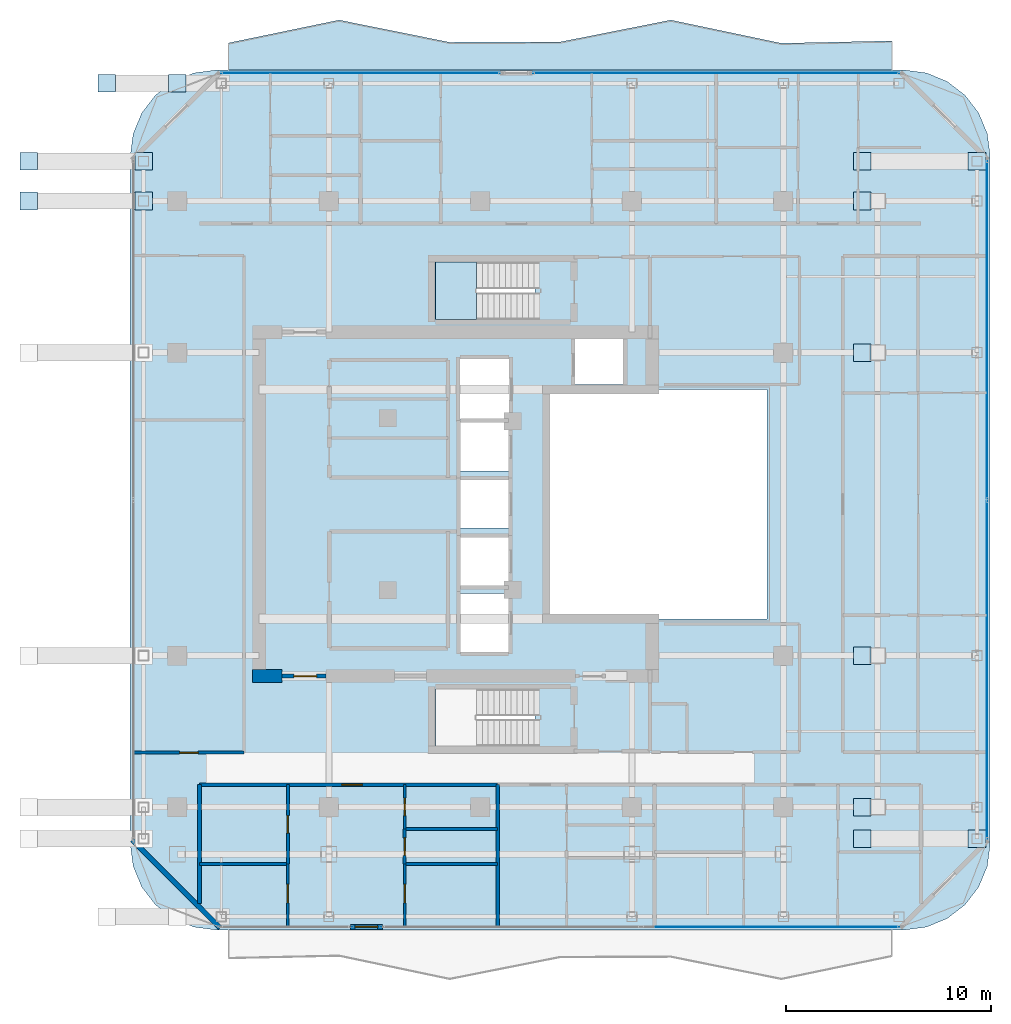
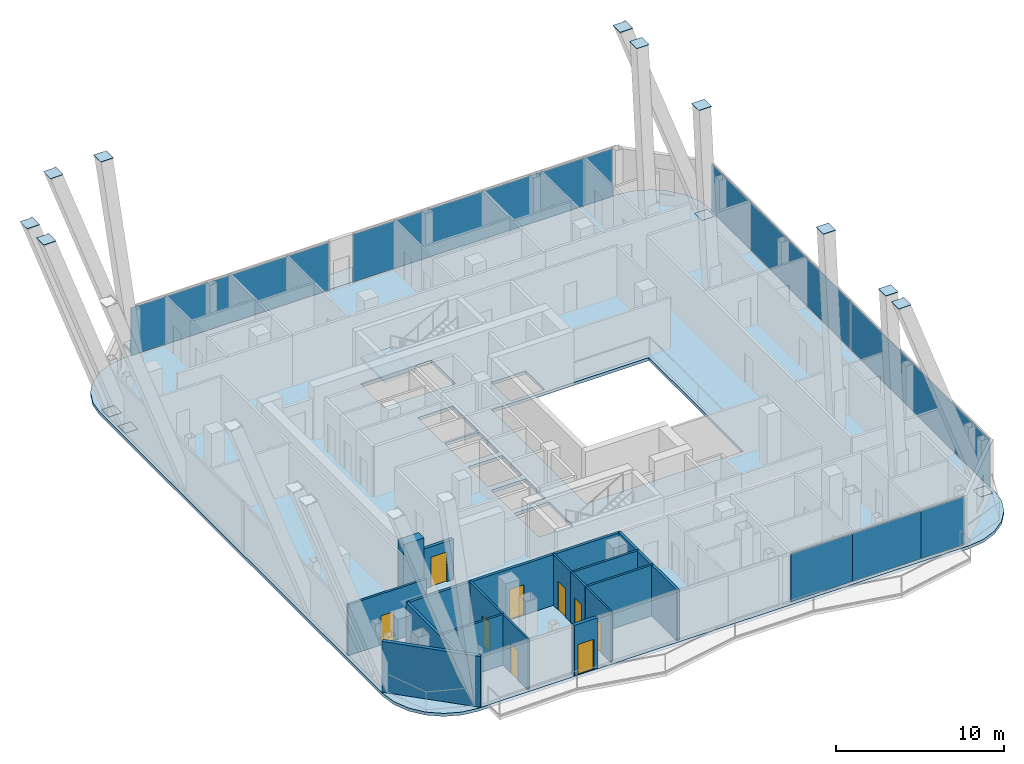
# One storey, part 20 of 27: 22 plates, 16 walls, 9 doors, 3 slabs, 9 openings, 5 elements without a shape of their own.
"""IFC4 building model written with IfcOpenShell, lengths in metres."""

from ifc_helpers import new_model, si_unit, direction, frame, frame_2d, origin, origin_2d, place, context, subcontext, project, spatial, polyline, rectangle, outline, extrude, material, layer, layer_set, type_object, element, fill, aggregate, save


model = new_model("IFC4")

# Units and contexts
model_context = context("Model", 3, precision=1e-05, world=origin(), true_north=direction((0.0, 1.0)))
body_context = subcontext(model_context, "Body", "Model", "MODEL_VIEW")
ifc_project = project(units=[si_unit("LENGTHUNIT", "METRE"), si_unit("AREAUNIT", "SQUARE_METRE"), si_unit("VOLUMEUNIT", "CUBIC_METRE"), si_unit("PLANEANGLEUNIT", "RADIAN"), si_unit("MASSUNIT", "GRAM", prefix="KILO")], contexts=[model_context])

# Site, building, storey
site_placement = place(None, origin())
site = spatial("IfcSite", under=ifc_project, at=site_placement, CompositionType="ELEMENT")
building_placement = place(site_placement, origin())
building = spatial("IfcBuilding", under=site, at=building_placement, Name="Khorvyn Point Tower", CompositionType="ELEMENT")
storey_placement = place(building_placement, frame((0.0, 0.0, 270.300048828125)))
storey = spatial("IfcBuildingStorey", under=building, at=storey_placement, Name="L66", CompositionType="ELEMENT", Elevation=270.300048828125)

# Slabs
ifc_material_1 = material(Name="Concrete C35/45", Category="concrete")
ifc_layer_1 = layer(ifc_material_1, 0.219970703125)
ifc_layer_set_1 = layer_set([ifc_layer_1], Name="Concrete C35/45 Structural Floor Slab 220")
slab_type_1 = type_object("IfcSlabType", Name="Concrete C35/45 Structural Floor Slab 220", PredefinedType="FLOOR", material=ifc_layer_set_1)
slab_1_placement = place(storey_placement, frame((0.0, 0.0, -0.219970703125)))
element("IfcSlab", 1, at=slab_1_placement, inside=storey, type_object=slab_type_1, Name="L66 Main Structural Floor Slab", PredefinedType="FLOOR", context=body_context, shape_type="SweptSolid", body=[
    extrude(outline(polyline([(-12.89990234375, -20.800048828125), (-13.987060546875, -20.656982421875), (-15.0, -20.2373046875), (-15.869873046875, -19.56982421875), (-16.537353515625, -18.699951171875), (-16.956787109375, -17.68701171875), (-17.10009765625, -16.60009765625), (-17.10009765625, 17.0), (-16.956787109375, 18.0869140625), (-16.537353515625, 19.10009765625), (-15.869873046875, 19.9697265625), (-15.0, 20.63720703125), (-13.987060546875, 21.056884765625), (-12.89990234375, 21.199951171875), (20.699951171875, 21.199951171875), (21.787109375, 21.056884765625), (22.800048828125, 20.63720703125), (23.669921875, 19.9697265625), (24.33740234375, 19.10009765625), (24.7568359375, 18.0869140625), (24.89990234375, 17.0), (24.89990234375, -16.60009765625), (24.7568359375, -17.68701171875), (24.33740234375, -18.699951171875), (23.669921875, -19.56982421875), (22.800048828125, -20.2373046875), (21.787109375, -20.656982421875), (20.699951171875, -20.800048828125), (-12.89990234375, -20.800048828125)]), holes=[polyline([(2.679931640625, -11.820068359375), (2.679931640625, -9.02001953125), (-2.199951171875, -9.02001953125), (-2.199951171875, -11.820068359375), (2.679931640625, -11.820068359375)]), polyline([(1.375, -7.22509765625), (1.375, -4.375), (-0.97509765625, -4.375), (-0.97509765625, -7.22509765625), (1.375, -7.22509765625)]), polyline([(1.375, -3.97509765625), (1.375, -1.625), (-0.97509765625, -1.625), (-0.97509765625, -3.97509765625), (1.375, -3.97509765625)]), polyline([(1.375, -1.175048828125), (1.375, 1.175048828125), (-0.97509765625, 1.175048828125), (-0.97509765625, -1.175048828125), (1.375, -1.175048828125)]), polyline([(14.0, -5.60009765625), (14.0, 5.60009765625), (3.199951171875, 5.60009765625), (3.199951171875, -5.60009765625), (14.0, -5.60009765625)]), polyline([(1.375, 1.625), (1.375, 3.97509765625), (-0.97509765625, 3.97509765625), (-0.97509765625, 1.625), (1.375, 1.625)]), polyline([(1.39990234375, 4.125), (1.39990234375, 7.074951171875), (-1.0, 7.074951171875), (-1.0, 4.125), (1.39990234375, 4.125)]), polyline([(4.625, 5.85009765625), (6.97509765625, 5.85009765625), (6.97509765625, 8.054931640625), (4.625, 8.054931640625), (4.625, 5.85009765625)]), polyline([(-2.199951171875, 9.02001953125), (2.679931640625, 9.02001953125), (2.679931640625, 11.820068359375), (-2.199951171875, 11.820068359375), (-2.199951171875, 9.02001953125)])]), origin(), (0.0, 0.0, 1.0), 0.219970703125),
])
ifc_material_2 = material(Name="Concrete C40/50", Category="concrete")
ifc_layer_2 = layer(ifc_material_2, 0.2099609375)
ifc_layer_set_2 = layer_set([ifc_layer_2], Name="Concrete C40/50 Rippling Balcony Slab 210")
slab_type_2 = type_object("IfcSlabType", Name="Concrete C40/50 Rippling Balcony Slab 210", PredefinedType="USERDEFINED", material=ifc_layer_set_2)
slab_2_placement = place(storey_placement, frame((0.0, 0.0, -0.2099609375)))
element("IfcSlab", 2, at=slab_2_placement, inside=storey, type_object=slab_type_2, Name="L66 North Sinusoidal Rippling Balcony", ObjectType="BALCONY", PredefinedType="USERDEFINED", context=body_context, shape_type="SweptSolid", body=[
    extrude(outline(polyline([(20.10009765625, 21.199951171875), (20.10009765625, 22.62255859375), (14.699951171875, 22.5068359375), (9.300048828125, 23.6416015625), (3.89990234375, 22.571533203125), (-1.5, 22.554931640625), (-6.89990234375, 23.642333984375), (-12.300048828125, 22.522705078125), (-12.300048828125, 21.199951171875), (20.10009765625, 21.199951171875)])), origin(), (0.0, 0.0, 1.0), 0.2099609375),
])

# Stair, slab
stair_type = type_object("IfcStairType", Name="Tower Concrete C40/50 Dogleg Exit Stair", PredefinedType="HALF_TURN_STAIR", material=ifc_material_2)
stair_placement = place(storey_placement, origin())
stair = element("IfcStair", 3, at=stair_placement, inside=storey, type_object=stair_type, Name="L66 Tower Smokeproof Exit Stair North", PredefinedType="HALF_TURN_STAIR")
ifc_layer_3 = layer(ifc_material_2, 0.199951171875)
ifc_layer_set_3 = layer_set([ifc_layer_3], Name="Concrete C40/50 Stair Landing Slab 200")
slab_type_3 = type_object("IfcSlabType", Name="Concrete C40/50 Stair Landing Slab 200", PredefinedType="LANDING", material=ifc_layer_set_3)
slab_3_placement = place(storey_placement, frame((0.0, 0.0, 1.75)))
slab_3 = element("IfcSlab", 4, at=slab_3_placement, type_object=slab_type_3, Name="ST-02 landing 1", PredefinedType="LANDING", context=body_context, shape_type="SweptSolid", body=[
    extrude(outline(polyline([(-0.179931640625, 11.820068359375), (-2.199951171875, 11.820068359375), (-2.199951171875, 9.02001953125), (-0.179931640625, 9.02001953125), (-0.179931640625, 11.820068359375)])), origin(), (0.0, 0.0, 1.0), 0.199951171875),
])
aggregate(stair, [slab_3])

# Plates
ifc_material_3 = material(Name="Steel S450", Category="steel")
ifc_layer_4 = layer(ifc_material_3, 0.031982421875)
ifc_layer_set_4 = layer_set([ifc_layer_4], Name="Steel S450 Exoskeleton End Cap Plate 32")
plate_type_1 = type_object("IfcPlateType", Name="Steel S450 Exoskeleton End Cap Plate 32", PredefinedType="USERDEFINED", material=ifc_layer_set_4)
for number, where, z_axis, x_axis, name in (
    (5, (-18.25341796875, 20.550048828125, 15.59326171875), (0.0, 0.0, 1.0), (1.0, 0.0, 0.0), "Plate"),
    (6, (-16.446533203125, 16.75, -0.025390625), (0.0, 0.0, 1.0), (1.0, 0.0, 0.0), "Plate"),
    (7, (-22.053466796875, 16.75, 15.59326171875), (0.0, 0.0, 1.0), (1.0, 0.0, 0.0), "Plate"),
    (8, (24.25341796875, -16.35009765625, -0.025390625), (0.0, 0.0, 1.0), (1.0, 0.0, 0.0), "Plate"),
    (9, (18.646484375, -16.35009765625, 15.59326171875), (0.0, 0.0, 1.0), (1.0, 0.0, 0.0), "Plate"),
    (10, (24.25341796875, 16.75, -0.025390625), (0.0, 0.0, 1.0), (1.0, 0.0, 0.0), "Plate"),
    (11, (18.646484375, 16.75, 15.59326171875), (0.0, 0.0, 1.0), (1.0, 0.0, 0.0), "Plate"),
    (12, (-14.801513671875, 20.550048828125, 15.59375), (0.0, 0.0, 1.0), (1.0, 0.0, 0.0), "Plate"),
    (13, (18.6494140625, -14.800048828125, 15.59375), (0.0, 0.0, 1.0), (1.0, 0.0, 0.0), "Plate"),
    (14, (18.6494140625, -7.39990234375, 15.59375), (0.0, 0.0, 1.0), (1.0, 0.0, 0.0), "Plate"),
    (15, (18.6494140625, 7.39990234375, 15.59375), (0.0, 0.0, 1.0), (1.0, 0.0, 0.0), "Plate"),
    (16, (-16.446533203125, 14.800048828125, -0.025390625), (0.0, 0.0, 1.0), (1.0, 0.0, 0.0), "Plate"),
    (17, (-22.053466796875, 14.800048828125, 15.59326171875), (0.0, 0.0, 1.0), (1.0, 0.0, 0.0), "Plate"),
    (18, (18.6494140625, 14.800048828125, 15.59375), (0.0, 0.0, 1.0), (1.0, 0.0, 0.0), "Plate"),
):
    element("IfcPlate", number, at=place(storey_placement, frame(where, z_axis=z_axis, x_axis=x_axis)), inside=storey, type_object=plate_type_1, Name=name, ObjectType="GUSSET", PredefinedType="USERDEFINED", context=body_context, shape_type="SweptSolid", body=[
        extrude(rectangle(XDim=0.860107421875, YDim=0.860107421875, at=origin_2d()), origin(), (0.0, 0.0, 1.0), 0.031982421875),
    ])

# Curtain wall, plates
ifc_material_4 = material(Name="Anodised aluminium 6063-T6 and laminated Low-E glass", Category="aluminium")
ifc_layer_5 = layer(ifc_material_4, 0.18994140625)
ifc_layer_set_5 = layer_set([ifc_layer_5], Name="Stick-Built High-Wind Curtain Wall CW-SYS-04")
curtain_wall_type = type_object("IfcCurtainWallType", Name="Stick-Built High-Wind Curtain Wall CW-SYS-04", PredefinedType="NOTDEFINED", material=ifc_layer_set_5)
curtain_wall_1_placement = place(storey_placement, origin())
curtain_wall_1 = element("IfcCurtainWall", 19, at=curtain_wall_1_placement, inside=storey, type_object=curtain_wall_type, Name="Curtain Wall", PredefinedType="NOTDEFINED")
ifc_material_5 = material(Name="Laminated Low-E insulated glass", Category="glass")
ifc_layer_6 = layer(ifc_material_5, 0.028076171875)
ifc_layer_set_6 = layer_set([ifc_layer_6], Name="Tempered Low-E Vision Glazing Panel CW-GL28")
plate_type_2 = type_object("IfcPlateType", Name="Tempered Low-E Vision Glazing Panel CW-GL28", PredefinedType="CURTAIN_PANEL", material=ifc_layer_set_6)
plate_1_placement = place(storey_placement, frame((10.6826171875, -20.64990234375, 0.099853515625), z_axis=(0.0, 0.0, 1.0), x_axis=(-1.0, 0.0, 0.0)))
plate_1 = element("IfcPlate", 20, at=plate_1_placement, type_object=plate_type_2, Name="Panel", PredefinedType="CURTAIN_PANEL", context=body_context, shape_type="SweptSolid", body=[
    extrude(rectangle(XDim=4.22705078125, YDim=0.028076171875, at=origin_2d()), origin(), (0.0, 0.0, 1.0), 3.47998046875),
])
plate_2_placement = place(storey_placement, frame((15.159423828125, -20.64990234375, 0.099853515625), z_axis=(0.0, 0.0, 1.0), x_axis=(-1.0, 0.0, 0.0)))
plate_2 = element("IfcPlate", 21, at=plate_2_placement, type_object=plate_type_2, Name="Panel", PredefinedType="CURTAIN_PANEL", context=body_context, shape_type="SweptSolid", body=[
    extrude(rectangle(XDim=4.7109375, YDim=0.028076171875, at=origin_2d()), origin(), (0.0, 0.0, 1.0), 3.47998046875),
])
plate_3_placement = place(storey_placement, frame((18.984619140625, -20.64990234375, 0.099853515625), z_axis=(0.0, 0.0, 1.0), x_axis=(-1.0, 0.0, 0.0)))
plate_3 = element("IfcPlate", 22, at=plate_3_placement, type_object=plate_type_2, Name="Panel", PredefinedType="CURTAIN_PANEL", context=body_context, shape_type="SweptSolid", body=[
    extrude(rectangle(XDim=2.923095703125, YDim=0.028076171875, at=origin_2d()), origin(), (0.0, 0.0, 1.0), 3.47998046875),
])
aggregate(curtain_wall_1, [plate_1, plate_2, plate_3])

# Curtain wall, plate
curtain_wall_2_placement = place(storey_placement, origin())
curtain_wall_2 = element("IfcCurtainWall", 23, at=curtain_wall_2_placement, inside=storey, type_object=curtain_wall_type, Name="Curtain Wall", PredefinedType="NOTDEFINED")
plate_4_placement = place(storey_placement, frame((-5.8564453125, 21.050048828125, 0.099853515625), z_axis=(0.0, 0.0, 1.0), x_axis=(1.0, 0.0, 0.0)))
plate_4 = element("IfcPlate", 24, at=plate_4_placement, type_object=plate_type_2, Name="Panel", PredefinedType="CURTAIN_PANEL", context=body_context, shape_type="SweptSolid", body=[
    extrude(rectangle(XDim=13.5869140625, YDim=0.028076171875, at=origin_2d()), origin(), (0.0, 0.0, 1.0), 3.47998046875),
])
aggregate(curtain_wall_2, [plate_4])

# Curtain wall, plates
curtain_wall_3_placement = place(storey_placement, origin())
curtain_wall_3 = element("IfcCurtainWall", 25, at=curtain_wall_3_placement, inside=storey, type_object=curtain_wall_type, Name="Curtain Wall", PredefinedType="NOTDEFINED")
plate_5_placement = place(storey_placement, frame((10.5439453125, 21.050048828125, 0.099853515625), z_axis=(0.0, 0.0, 1.0), x_axis=(1.0, 0.0, 0.0)))
plate_5 = element("IfcPlate", 26, at=plate_5_placement, type_object=plate_type_2, Name="Panel", PredefinedType="CURTAIN_PANEL", context=body_context, shape_type="SweptSolid", body=[
    extrude(rectangle(XDim=15.926025390625, YDim=0.028076171875, at=origin_2d()), origin(), (0.0, 0.0, 1.0), 3.47998046875),
])
plate_6_placement = place(storey_placement, frame((19.48046875, 21.050048828125, 0.099853515625), z_axis=(0.0, 0.0, 1.0), x_axis=(1.0, 0.0, 0.0)))
plate_6 = element("IfcPlate", 27, at=plate_6_placement, type_object=plate_type_2, Name="Panel", PredefinedType="CURTAIN_PANEL", context=body_context, shape_type="SweptSolid", body=[
    extrude(rectangle(XDim=1.930908203125, YDim=0.028076171875, at=origin_2d()), origin(), (0.0, 0.0, 1.0), 3.47998046875),
])
aggregate(curtain_wall_3, [plate_5, plate_6])

curtain_wall_4_placement = place(storey_placement, origin())
curtain_wall_4 = element("IfcCurtainWall", 28, at=curtain_wall_4_placement, inside=storey, type_object=curtain_wall_type, Name="Curtain Wall", PredefinedType="NOTDEFINED")
plate_7_placement = place(storey_placement, frame((24.75, 8.5, 0.099853515625), z_axis=(0.0, 0.0, 1.0), x_axis=(0.0, -1.0, 0.0)))
plate_7 = element("IfcPlate", 29, at=plate_7_placement, type_object=plate_type_2, Name="Panel", PredefinedType="CURTAIN_PANEL", context=body_context, shape_type="SweptSolid", body=[
    extrude(rectangle(XDim=16.5, YDim=0.028076171875, at=origin_2d()), origin(), (0.0, 0.0, 1.0), 3.47998046875),
])
plate_8_placement = place(storey_placement, frame((24.75, -8.10009765625, 0.099853515625), z_axis=(0.0, 0.0, 1.0), x_axis=(0.0, -1.0, 0.0)))
plate_8 = element("IfcPlate", 30, at=plate_8_placement, type_object=plate_type_2, Name="Panel", PredefinedType="CURTAIN_PANEL", context=body_context, shape_type="SweptSolid", body=[
    extrude(rectangle(XDim=16.5, YDim=0.028076171875, at=origin_2d()), origin(), (0.0, 0.0, 1.0), 3.47998046875),
])
aggregate(curtain_wall_4, [plate_7, plate_8])

# Wall, opening, door
ifc_material_6 = material(Name="Double acoustic gypsum on twin steel stud", Category="steel")
ifc_layer_7 = layer(ifc_material_6, 0.179931640625)
ifc_layer_set_7 = layer_set([ifc_layer_7], Name="Acoustic Double-Stud Apartment Demising Wall 180")
wall_type_1 = type_object("IfcWallType", Name="Acoustic Double-Stud Apartment Demising Wall 180", PredefinedType="PARTITIONING", material=ifc_layer_set_7)
wall_1_placement = place(storey_placement, frame((-13.719970703125, -13.699951171875, 0.0), z_axis=(0.0, 0.0, 1.0), x_axis=(1.0, 0.0, 0.0)))
wall_1 = element("IfcWall", 31, at=wall_1_placement, inside=storey, type_object=wall_type_1, Name="Wall", PredefinedType="PARTITIONING", context=body_context, shape_type="SweptSolid", body=[
    extrude(rectangle(XDim=14.56591796875, YDim=0.179931640625, at=frame_2d((7.282958984375, 0.0))), origin(), (0.0, 0.0, 1.0), 3.679931640625),
])
opening_1_placement = place(wall_1_placement, frame((6.9619140625, 0.0, 0.0)))
opening_1 = element("IfcOpeningElement", 32, at=opening_1_placement, cuts=wall_1, Name="Opening ID-AP60", PredefinedType="OPENING", context=body_context, shape_type="SweptSolid", body=[
    extrude(rectangle(XDim=1.0, YDim=2.199951171875, at=frame_2d((0.5, 1.10009765625))), frame((0.0, 0.099853515625, 0.0), z_axis=(0.0, -1.0, 0.0), x_axis=(1.0, 0.0, 0.0)), (0.0, 0.0, 1.0), 0.199951171875),
])
ifc_material_7 = material(Name="Engineered hardwood fire-rated leaf", Category="wood")
door_type_1 = type_object("IfcDoorType", Name="Acoustic Solid-Core Timber Apartment Entrance Door 1000x2200", OperationType="NOTDEFINED", PredefinedType="DOOR", material=ifc_material_7)
door_1_placement = place(opening_1_placement, origin())
door_1 = element("IfcDoor", 33, at=door_1_placement, inside=storey, type_object=door_type_1, Name="Door", OperationType="SINGLE_SWING_RIGHT", OverallHeight=2.199951171875, OverallWidth=1.0, PredefinedType="DOOR", context=body_context, shape_type="SweptSolid", body=[
    extrude(rectangle(XDim=1.0, YDim=2.199951171875, at=frame_2d((0.5, 1.10009765625))), frame((0.0, 0.02490234375, 0.0), z_axis=(0.0, -1.0, 0.0), x_axis=(1.0, 0.0, 0.0)), (0.0, 0.0, 1.0), 0.050048828125),
])
fill(opening_1, door_1)

# Walls
wall_2_placement = place(storey_placement, frame((-13.719970703125, -19.510009765625, 0.0), z_axis=(0.0, 0.0, 1.0), x_axis=(0.0, 1.0, 0.0)))
element("IfcWall", 34, at=wall_2_placement, inside=storey, type_object=wall_type_1, Name="Wall", PredefinedType="PARTITIONING", context=body_context, shape_type="SweptSolid", body=[
    extrude(rectangle(XDim=5.81005859375, YDim=0.179931640625, at=frame_2d((2.905029296875, 0.0))), origin(), (0.0, 0.0, 1.0), 3.679931640625),
])
wall_3_placement = place(storey_placement, frame((0.845947265625, -20.6298828125, 0.0), z_axis=(0.0, 0.0, 1.0), x_axis=(0.0, 1.0, 0.0)))
element("IfcWall", 35, at=wall_3_placement, inside=storey, type_object=wall_type_1, Name="Wall", PredefinedType="PARTITIONING", context=body_context, shape_type="SweptSolid", body=[
    extrude(rectangle(XDim=6.929931640625, YDim=0.179931640625, at=frame_2d((3.46484375, 0.0))), origin(), (0.0, 0.0, 1.0), 3.679931640625),
])

# Wall, opening, door
ifc_material_8 = material(Name="Pale anodised aluminium rainscreen on steel stud", Category="steel")
ifc_layer_8 = layer(ifc_material_8, 0.239990234375)
ifc_layer_set_8 = layer_set([ifc_layer_8], Name="Anodised Aluminium Insulated Corner Spandrel Wall 240")
wall_type_2 = type_object("IfcWallType", Name="Anodised Aluminium Insulated Corner Spandrel Wall 240", PredefinedType="SOLIDWALL", material=ifc_layer_set_8)
wall_4_placement = place(storey_placement, frame((-4.77294921875, -20.64990234375, 0.0), z_axis=(0.0, 0.0, 1.0), x_axis=(-1.0, 0.0, 0.0)))
wall_4 = element("IfcWall", 36, at=wall_4_placement, inside=storey, type_object=wall_type_2, Name="L66 South Outdoor Threshold Wall", PredefinedType="SOLIDWALL", context=body_context, shape_type="SweptSolid", body=[
    extrude(rectangle(XDim=1.580078125, YDim=0.239990234375, at=frame_2d((0.7900390625, 0.0))), origin(), (0.0, 0.0, 1.0), 3.679931640625),
])
opening_2_placement = place(wall_4_placement, frame((0.239990234375, 0.0, 0.0)))
opening_2 = element("IfcOpeningElement", 37, at=opening_2_placement, cuts=wall_4, Name="Opening BD-1122", PredefinedType="OPENING", context=body_context, shape_type="SweptSolid", body=[
    extrude(rectangle(XDim=1.10009765625, YDim=2.199951171875, at=frame_2d((0.550048828125, 1.10009765625))), frame((0.0, 0.1298828125, 0.0), z_axis=(0.0, -1.0, 0.0), x_axis=(1.0, 0.0, 0.0)), (0.0, 0.0, 1.0), 0.260009765625),
])
door_type_2 = type_object("IfcDoorType", Name="Glazed Balcony and Terrace Threshold Door 1100x2200", OperationType="NOTDEFINED", PredefinedType="DOOR", material=ifc_material_4)
door_2_placement = place(opening_2_placement, origin())
door_2 = element("IfcDoor", 38, at=door_2_placement, inside=storey, type_object=door_type_2, Name="L66 South Glazed Balcony Outdoor Door", OperationType="SINGLE_SWING_RIGHT", OverallHeight=2.199951171875, OverallWidth=1.10009765625, PredefinedType="DOOR", context=body_context, shape_type="SweptSolid", body=[
    extrude(rectangle(XDim=1.10009765625, YDim=2.199951171875, at=frame_2d((0.550048828125, 1.10009765625))), frame((0.0, 0.02490234375, 0.0), z_axis=(0.0, -1.0, 0.0), x_axis=(1.0, 0.0, 0.0)), (0.0, 0.0, 1.0), 0.050048828125),
])
fill(opening_2, door_2)

# Walls
wall_5_placement = place(storey_placement, frame((-12.70751953125, -20.6923828125, 0.0), z_axis=(0.0, 0.0, 1.0), x_axis=(-0.707126925818, 0.707086635981, 0.0)))
element("IfcWall", 39, at=wall_5_placement, inside=storey, type_object=wall_type_2, Name="L66 Rounded Corner Wall SW", PredefinedType="SOLIDWALL", context=body_context, shape_type="SweptSolid", body=[
    extrude(rectangle(XDim=6.0595703125, YDim=0.239990234375, at=frame_2d((3.02978515625, 0.0))), origin(), (0.0, 0.0, 1.0), 3.679931640625),
])
ifc_layer_9 = layer(ifc_material_2, 0.64990234375)
ifc_layer_set_9 = layer_set([ifc_layer_9], Name="Concrete C40/50 Core Shear Wall 650")
wall_type_3 = type_object("IfcWallType", Name="Concrete C40/50 Core Shear Wall 650", PredefinedType="SHEAR", material=ifc_layer_set_9)
wall_6_placement = place(storey_placement, frame((-11.125, -8.39990234375, 0.0), z_axis=(0.0, 0.0, 1.0), x_axis=(1.0, 0.0, 0.0)))
element("IfcWall", 40, at=wall_6_placement, inside=storey, type_object=wall_type_3, Name="Wall", PredefinedType="SHEAR", context=body_context, shape_type="SweptSolid", body=[
    extrude(rectangle(XDim=1.425048828125, YDim=0.64990234375, at=frame_2d((0.71240234375, 0.0))), origin(), (0.0, 0.0, 1.0), 3.89990234375),
])

# Wall, opening, door
ifc_layer_10 = layer(ifc_material_2, 0.199951171875)
ifc_layer_set_10 = layer_set([ifc_layer_10], Name="Concrete C40/50 Fire-Lobby Compartment Wall 200")
wall_type_4 = type_object("IfcWallType", Name="Concrete C40/50 Fire-Lobby Compartment Wall 200", PredefinedType="SOLIDWALL", material=ifc_layer_set_10)
wall_7_placement = place(storey_placement, frame((-9.699951171875, -8.39990234375, 0.0), z_axis=(0.0, 0.0, 1.0), x_axis=(1.0, 0.0, 0.0)))
wall_7 = element("IfcWall", 41, at=wall_7_placement, inside=storey, type_object=wall_type_4, Name="Wall", PredefinedType="SOLIDWALL", context=body_context, shape_type="SweptSolid", body=[
    extrude(rectangle(XDim=2.14990234375, YDim=0.199951171875, at=frame_2d((1.074951171875, 0.0))), origin(), (0.0, 0.0, 1.0), 2.919921875),
])
opening_3_placement = place(wall_7_placement, frame((0.597900390625, 0.0, 0.0)))
opening_3 = element("IfcOpeningElement", 42, at=opening_3_placement, cuts=wall_7, Name="Opening ID-FL90", PredefinedType="OPENING", context=body_context, shape_type="SweptSolid", body=[
    extrude(rectangle(XDim=1.10009765625, YDim=2.14990234375, at=frame_2d((0.550048828125, 1.074951171875))), frame((0.0, 0.10986328125, 0.0), z_axis=(0.0, -1.0, 0.0), x_axis=(1.0, 0.0, 0.0)), (0.0, 0.0, 1.0), 0.219970703125),
])
ifc_material_9 = material(Name="Galvanised powder-coated steel", Category="steel")
door_type_3 = type_object("IfcDoorType", Name="Fire-Rated Steel Lobby and Stair Door 1100x2150", OperationType="NOTDEFINED", PredefinedType="DOOR", material=ifc_material_9)
door_3_placement = place(opening_3_placement, origin())
door_3 = element("IfcDoor", 43, at=door_3_placement, inside=storey, type_object=door_type_3, Name="Door", OperationType="SINGLE_SWING_RIGHT", OverallHeight=2.14990234375, OverallWidth=1.10009765625, PredefinedType="DOOR", context=body_context, shape_type="SweptSolid", body=[
    extrude(rectangle(XDim=1.10009765625, YDim=2.14990234375, at=frame_2d((0.550048828125, 1.074951171875))), frame((0.0, 0.02490234375, 0.0), z_axis=(0.0, -1.0, 0.0), x_axis=(1.0, 0.0, 0.0)), (0.0, 0.0, 1.0), 0.050048828125),
])
fill(opening_3, door_3)

ifc_material_10 = material(Name="Gypsum plasterboard on steel stud", Category="steel")
ifc_layer_11 = layer(ifc_material_10, 0.1201171875)
ifc_layer_set_11 = layer_set([ifc_layer_11], Name="Gypsum Acoustic Stud Room Partition Wall 120")
wall_type_5 = type_object("IfcWallType", Name="Gypsum Acoustic Stud Room Partition Wall 120", PredefinedType="PARTITIONING", material=ifc_layer_set_11)
wall_8_placement = place(storey_placement, frame((-9.39697265625, -20.6298828125, 0.0), z_axis=(0.0, 0.0, 1.0), x_axis=(0.0, 1.0, 0.0)))
wall_8 = element("IfcWall", 44, at=wall_8_placement, inside=storey, type_object=wall_type_5, Name="Wall", PredefinedType="PARTITIONING", context=body_context, shape_type="SweptSolid", body=[
    extrude(rectangle(XDim=3.0439453125, YDim=0.1201171875, at=frame_2d((1.52197265625, 0.0))), origin(), (0.0, 0.0, 1.0), 3.679931640625),
])
opening_4_placement = place(wall_8_placement, frame((1.15478515625, 0.0, 0.0)))
opening_4 = element("IfcOpeningElement", 45, at=opening_4_placement, cuts=wall_8, Name="Opening ID-RM90", PredefinedType="OPENING", context=body_context, shape_type="SweptSolid", body=[
    extrude(rectangle(XDim=0.89990234375, YDim=2.10009765625, at=frame_2d((0.449951171875, 1.050048828125))), frame((0.0, 0.070068359375, 0.0), z_axis=(0.0, -1.0, 0.0), x_axis=(1.0, 0.0, 0.0)), (0.0, 0.0, 1.0), 0.14013671875),
])
ifc_material_11 = material(Name="Engineered oak veneer timber", Category="wood")
door_type_4 = type_object("IfcDoorType", Name="Flush Engineered Timber Room Door 900x2100", OperationType="NOTDEFINED", PredefinedType="DOOR", material=ifc_material_11)
door_4_placement = place(opening_4_placement, origin())
door_4 = element("IfcDoor", 46, at=door_4_placement, inside=storey, type_object=door_type_4, Name="Door", OperationType="SINGLE_SWING_RIGHT", OverallHeight=2.10009765625, OverallWidth=0.89990234375, PredefinedType="DOOR", context=body_context, shape_type="SweptSolid", body=[
    extrude(rectangle(XDim=0.89990234375, YDim=2.10009765625, at=frame_2d((0.449951171875, 1.050048828125))), frame((0.0, 0.02490234375, 0.0), z_axis=(0.0, -1.0, 0.0), x_axis=(1.0, 0.0, 0.0)), (0.0, 0.0, 1.0), 0.050048828125),
])
fill(opening_4, door_4)

wall_9_placement = place(storey_placement, frame((-3.698974609375, -15.8759765625, 0.0), z_axis=(0.0, 0.0, 1.0), x_axis=(0.0, 1.0, 0.0)))
wall_9 = element("IfcWall", 47, at=wall_9_placement, inside=storey, type_object=wall_type_5, Name="Wall", PredefinedType="PARTITIONING", context=body_context, shape_type="SweptSolid", body=[
    extrude(rectangle(XDim=2.176025390625, YDim=0.1201171875, at=frame_2d((1.087890625, 0.0))), origin(), (0.0, 0.0, 1.0), 3.679931640625),
])
opening_5_placement = place(wall_9_placement, frame((0.6630859375, 0.0, 0.0)))
opening_5 = element("IfcOpeningElement", 48, at=opening_5_placement, cuts=wall_9, Name="Opening ID-WC85", PredefinedType="OPENING", context=body_context, shape_type="SweptSolid", body=[
    extrude(rectangle(XDim=0.85009765625, YDim=2.10009765625, at=frame_2d((0.425048828125, 1.050048828125))), frame((0.0, 0.070068359375, 0.0), z_axis=(0.0, -1.0, 0.0), x_axis=(1.0, 0.0, 0.0)), (0.0, 0.0, 1.0), 0.14013671875),
])
ifc_material_12 = material(Name="High-pressure laminate on moisture-resistant core", Category="wood")
door_type_5 = type_object("IfcDoorType", Name="Moisture-Resistant Accessible Washroom Door 850x2100", OperationType="NOTDEFINED", PredefinedType="DOOR", material=ifc_material_12)
door_5_placement = place(opening_5_placement, origin())
door_5 = element("IfcDoor", 49, at=door_5_placement, inside=storey, type_object=door_type_5, Name="Door", OperationType="SINGLE_SWING_RIGHT", OverallHeight=2.10009765625, OverallWidth=0.85009765625, PredefinedType="DOOR", context=body_context, shape_type="SweptSolid", body=[
    extrude(rectangle(XDim=0.85009765625, YDim=2.10009765625, at=frame_2d((0.425048828125, 1.050048828125))), frame((0.0, 0.02490234375, 0.0), z_axis=(0.0, -1.0, 0.0), x_axis=(1.0, 0.0, 0.0)), (0.0, 0.0, 1.0), 0.050048828125),
])
fill(opening_5, door_5)

wall_10_placement = place(storey_placement, frame((-3.698974609375, -20.6298828125, 0.0), z_axis=(0.0, 0.0, 1.0), x_axis=(0.0, 1.0, 0.0)))
wall_10 = element("IfcWall", 50, at=wall_10_placement, inside=storey, type_object=wall_type_5, Name="Wall", PredefinedType="PARTITIONING", context=body_context, shape_type="SweptSolid", body=[
    extrude(rectangle(XDim=3.0439453125, YDim=0.1201171875, at=frame_2d((1.52197265625, 0.0))), origin(), (0.0, 0.0, 1.0), 3.679931640625),
])
opening_6_placement = place(wall_10_placement, frame((1.15478515625, 0.0, 0.0)))
opening_6 = element("IfcOpeningElement", 51, at=opening_6_placement, cuts=wall_10, Name="Opening ID-RM90", PredefinedType="OPENING", context=body_context, shape_type="SweptSolid", body=[
    extrude(rectangle(XDim=0.89990234375, YDim=2.10009765625, at=frame_2d((0.449951171875, 1.050048828125))), frame((0.0, 0.070068359375, 0.0), z_axis=(0.0, -1.0, 0.0), x_axis=(1.0, 0.0, 0.0)), (0.0, 0.0, 1.0), 0.14013671875),
])
door_6_placement = place(opening_6_placement, origin())
door_6 = element("IfcDoor", 52, at=door_6_placement, inside=storey, type_object=door_type_4, Name="Door", OperationType="SINGLE_SWING_LEFT", OverallHeight=2.10009765625, OverallWidth=0.89990234375, PredefinedType="DOOR", context=body_context, shape_type="SweptSolid", body=[
    extrude(rectangle(XDim=0.89990234375, YDim=2.10009765625, at=frame_2d((0.449951171875, 1.050048828125))), frame((0.0, 0.02490234375, 0.0), z_axis=(0.0, -1.0, 0.0), x_axis=(1.0, 0.0, 0.0)), (0.0, 0.0, 1.0), 0.050048828125),
])
fill(opening_6, door_6)

ifc_material_13 = material(Name="Moisture-resistant gypsum and cement board", Category="gypsum")
ifc_layer_12 = layer(ifc_material_13, 0.14990234375)
ifc_layer_set_12 = layer_set([ifc_layer_12], Name="Moisture-Resistant Wet-Room Partition Wall 150")
wall_type_6 = type_object("IfcWallType", Name="Moisture-Resistant Wet-Room Partition Wall 150", PredefinedType="PARTITIONING", material=ifc_layer_set_12)
wall_11_placement = place(storey_placement, frame((-9.39697265625, -17.5859375, 0.0), z_axis=(0.0, 0.0, 1.0), x_axis=(0.0, 1.0, 0.0)))
wall_11 = element("IfcWall", 53, at=wall_11_placement, inside=storey, type_object=wall_type_6, Name="Wall", PredefinedType="PARTITIONING", context=body_context, shape_type="SweptSolid", body=[
    extrude(rectangle(XDim=3.885986328125, YDim=0.14990234375, at=frame_2d((1.94287109375, 0.0))), origin(), (0.0, 0.0, 1.0), 3.679931640625),
])
opening_7_placement = place(wall_11_placement, frame((1.51806640625, 0.0, 0.0)))
opening_7 = element("IfcOpeningElement", 54, at=opening_7_placement, cuts=wall_11, Name="Opening ID-WC85", PredefinedType="OPENING", context=body_context, shape_type="SweptSolid", body=[
    extrude(rectangle(XDim=0.85009765625, YDim=2.10009765625, at=frame_2d((0.425048828125, 1.050048828125))), frame((0.0, 0.0849609375, 0.0), z_axis=(0.0, -1.0, 0.0), x_axis=(1.0, 0.0, 0.0)), (0.0, 0.0, 1.0), 0.169921875),
])
door_7_placement = place(opening_7_placement, origin())
door_7 = element("IfcDoor", 55, at=door_7_placement, inside=storey, type_object=door_type_5, Name="Door", OperationType="SINGLE_SWING_LEFT", OverallHeight=2.10009765625, OverallWidth=0.85009765625, PredefinedType="DOOR", context=body_context, shape_type="SweptSolid", body=[
    extrude(rectangle(XDim=0.85009765625, YDim=2.10009765625, at=frame_2d((0.425048828125, 1.050048828125))), frame((0.0, 0.02490234375, 0.0), z_axis=(0.0, -1.0, 0.0), x_axis=(1.0, 0.0, 0.0)), (0.0, 0.0, 1.0), 0.050048828125),
])
fill(opening_7, door_7)

wall_12_placement = place(storey_placement, frame((-3.698974609375, -17.5859375, 0.0), z_axis=(0.0, 0.0, 1.0), x_axis=(0.0, 1.0, 0.0)))
wall_12 = element("IfcWall", 56, at=wall_12_placement, inside=storey, type_object=wall_type_6, Name="Wall", PredefinedType="PARTITIONING", context=body_context, shape_type="SweptSolid", body=[
    extrude(rectangle(XDim=1.7099609375, YDim=0.14990234375, at=frame_2d((0.85498046875, 0.0))), origin(), (0.0, 0.0, 1.0), 3.679931640625),
])
opening_8_placement = place(wall_12_placement, frame((0.429931640625, 0.0, 0.0)))
opening_8 = element("IfcOpeningElement", 57, at=opening_8_placement, cuts=wall_12, Name="Opening ID-WC85", PredefinedType="OPENING", context=body_context, shape_type="SweptSolid", body=[
    extrude(rectangle(XDim=0.85009765625, YDim=2.10009765625, at=frame_2d((0.425048828125, 1.050048828125))), frame((0.0, 0.0849609375, 0.0), z_axis=(0.0, -1.0, 0.0), x_axis=(1.0, 0.0, 0.0)), (0.0, 0.0, 1.0), 0.169921875),
])
door_8_placement = place(opening_8_placement, origin())
door_8 = element("IfcDoor", 58, at=door_8_placement, inside=storey, type_object=door_type_5, Name="Door", OperationType="SINGLE_SWING_LEFT", OverallHeight=2.10009765625, OverallWidth=0.85009765625, PredefinedType="DOOR", context=body_context, shape_type="SweptSolid", body=[
    extrude(rectangle(XDim=0.85009765625, YDim=2.10009765625, at=frame_2d((0.425048828125, 1.050048828125))), frame((0.0, 0.02490234375, 0.0), z_axis=(0.0, -1.0, 0.0), x_axis=(1.0, 0.0, 0.0)), (0.0, 0.0, 1.0), 0.050048828125),
])
fill(opening_8, door_8)

wall_13_placement = place(storey_placement, frame((-16.929931640625, -12.139892578125, 0.0), z_axis=(0.0, 0.0, 1.0), x_axis=(1.0, 0.0, 0.0)))
wall_13 = element("IfcWall", 59, at=wall_13_placement, inside=storey, type_object=wall_type_6, Name="Wall", PredefinedType="PARTITIONING", context=body_context, shape_type="SweptSolid", body=[
    extrude(rectangle(XDim=5.3798828125, YDim=0.14990234375, at=frame_2d((2.68994140625, 0.0))), origin(), (0.0, 0.0, 1.0), 3.679931640625),
])
opening_9_placement = place(wall_13_placement, frame((2.239990234375, 0.0, 0.0)))
opening_9 = element("IfcOpeningElement", 60, at=opening_9_placement, cuts=wall_13, Name="Opening ID-RM90", PredefinedType="OPENING", context=body_context, shape_type="SweptSolid", body=[
    extrude(rectangle(XDim=0.89990234375, YDim=2.10009765625, at=frame_2d((0.449951171875, 1.050048828125))), frame((0.0, 0.0849609375, 0.0), z_axis=(0.0, -1.0, 0.0), x_axis=(1.0, 0.0, 0.0)), (0.0, 0.0, 1.0), 0.169921875),
])
door_9_placement = place(opening_9_placement, origin())
door_9 = element("IfcDoor", 61, at=door_9_placement, inside=storey, type_object=door_type_4, Name="Door", OperationType="SINGLE_SWING_LEFT", OverallHeight=2.10009765625, OverallWidth=0.89990234375, PredefinedType="DOOR", context=body_context, shape_type="SweptSolid", body=[
    extrude(rectangle(XDim=0.89990234375, YDim=2.10009765625, at=frame_2d((0.449951171875, 1.050048828125))), frame((0.0, 0.02490234375, 0.0), z_axis=(0.0, -1.0, 0.0), x_axis=(1.0, 0.0, 0.0)), (0.0, 0.0, 1.0), 0.050048828125),
])
fill(opening_9, door_9)

# Walls
wall_14_placement = place(storey_placement, frame((-13.719970703125, -17.5859375, 0.0), z_axis=(0.0, 0.0, 1.0), x_axis=(1.0, 0.0, 0.0)))
element("IfcWall", 62, at=wall_14_placement, inside=storey, type_object=wall_type_6, Name="Wall", PredefinedType="PARTITIONING", context=body_context, shape_type="SweptSolid", body=[
    extrude(rectangle(XDim=4.322998046875, YDim=0.14990234375, at=frame_2d((2.16162109375, 0.0))), origin(), (0.0, 0.0, 1.0), 3.679931640625),
])
for number, where, z_axis, x_axis, name in (
    (63, (-3.698974609375, -15.8759765625, 0.0), (0.0, 0.0, 1.0), (1.0, 0.0, 0.0), "Wall"),
    (64, (-3.698974609375, -17.5859375, 0.0), (0.0, 0.0, 1.0), (1.0, 0.0, 0.0), "Wall"),
):
    element("IfcWall", number, at=place(storey_placement, frame(where, z_axis=z_axis, x_axis=x_axis)), inside=storey, type_object=wall_type_6, Name=name, PredefinedType="PARTITIONING", context=body_context, shape_type="SweptSolid", body=[
        extrude(rectangle(XDim=4.544921875, YDim=0.14990234375, at=frame_2d((2.2724609375, 0.0))), origin(), (0.0, 0.0, 1.0), 3.679931640625),
    ])

save(model, "model.ifc")
